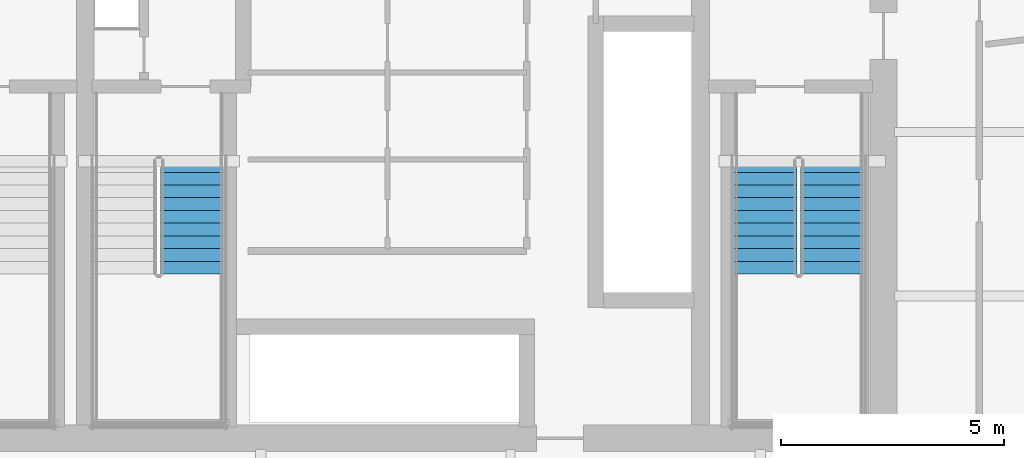
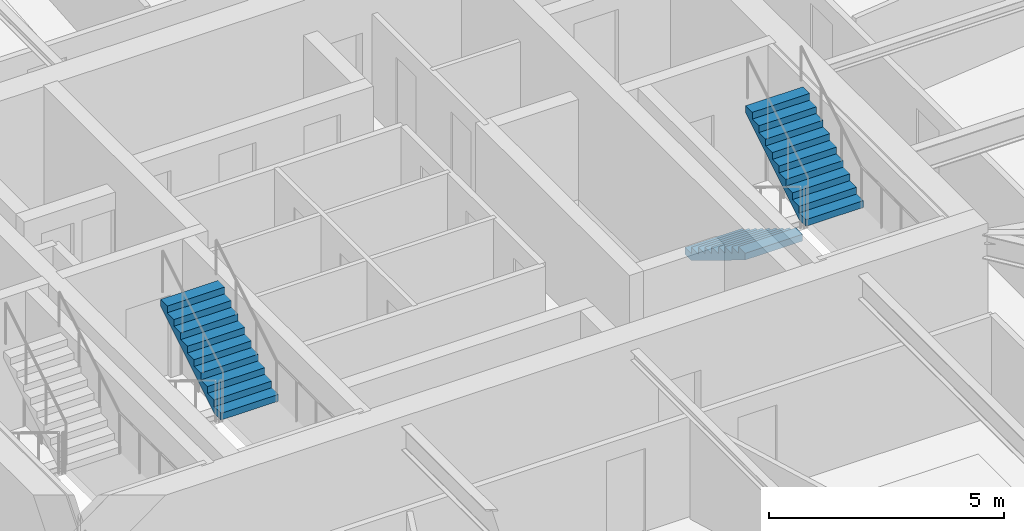
# One storey, part 19 of 23: 3 stair flights, 2 elements without a shape of their own.
"""IFC4 building model written with IfcOpenShell, lengths in metres."""

from ifc_helpers import new_model, si_unit, direction, frame, origin, place, context, subcontext, project, spatial, polyline, outline, extrude, material, type_object, element, aggregate, save


model = new_model("IFC4")

# Units and contexts
model_context = context("Model", 3, precision=1e-05, world=origin(), true_north=direction((0.0, 1.0)))
body_context = subcontext(model_context, "Body", "Model", "MODEL_VIEW")
ifc_project = project(units=[si_unit("LENGTHUNIT", "METRE"), si_unit("AREAUNIT", "SQUARE_METRE"), si_unit("VOLUMEUNIT", "CUBIC_METRE"), si_unit("PLANEANGLEUNIT", "RADIAN"), si_unit("MASSUNIT", "GRAM", prefix="KILO")], contexts=[model_context])

# Site, building, storey
site_placement = place(None, origin())
site = spatial("IfcSite", under=ifc_project, at=site_placement, CompositionType="ELEMENT")
building_placement = place(site_placement, origin())
building = spatial("IfcBuilding", under=site, at=building_placement, Name="Bramvorn Convention Spire", CompositionType="ELEMENT")
storey_placement = place(building_placement, frame((0.0, 0.0, 69.39990234375)))
storey = spatial("IfcBuildingStorey", under=building, at=storey_placement, Name="L15", CompositionType="ELEMENT", Elevation=69.39990234375)

# Stair, stair flights
ifc_material_1 = material(Name="Concrete C40/50 Precast Stair", Category="concrete")
stair_type = type_object("IfcStairType", Name="ST-TOWER-1550", PredefinedType="HALF_TURN_STAIR", material=ifc_material_1)
stair_1_placement = place(storey_placement, origin())
stair_1 = element("IfcStair", 1, at=stair_1_placement, inside=storey, type_object=stair_type, Name="L15 Protected Exit Stair ST2", PredefinedType="HALF_TURN_STAIR")
ifc_material_2 = material(Name="Concrete C40/50 Precast Stair Flight", Category="concrete")
stair_flight_type = type_object("IfcStairFlightType", Name="STF-TOWER-1550", PredefinedType="STRAIGHT", material=ifc_material_2)
stair_flight_1_placement = place(storey_placement, frame((46.35498046875, 25.050048828125, 0.0), z_axis=(0.0, 0.0, 1.0), x_axis=(0.0, -1.0, 0.0)))
stair_flight_1 = element("IfcStairFlight", 2, at=stair_flight_1_placement, type_object=stair_flight_type, Name="ST2 flight 1", NumberOfRisers=10, NumberOfTreads=9, PredefinedType="STRAIGHT", RiserHeight=0.175, TreadLength=0.285, context=body_context, shape_type="SweptSolid", body=[
    extrude(outline(polyline([(0.0, 0.0), (0.0, 0.175048828125), (0.284912109375, 0.175048828125), (0.284912109375, 0.35009765625), (0.570068359375, 0.35009765625), (0.570068359375, 0.52490234375), (0.85498046875, 0.52490234375), (0.85498046875, 0.699951171875), (1.139892578125, 0.699951171875), (1.139892578125, 0.875), (1.425048828125, 0.875), (1.425048828125, 1.050048828125), (1.7099609375, 1.050048828125), (1.7099609375, 1.22509765625), (1.9951171875, 1.22509765625), (1.9951171875, 1.39990234375), (2.280029296875, 1.39990234375), (2.280029296875, 1.574951171875), (2.56494140625, 1.574951171875), (2.56494140625, 1.75), (2.56494140625, 1.399169921875), (0.286376953125, 0.0), (0.0, 0.0)])), frame((0.0, 0.705078125, 0.0), z_axis=(0.0, -1.0, 0.0), x_axis=(1.0, 0.0, 0.0)), (0.0, 0.0, 1.0), 1.409912109375),
])
stair_flight_2_placement = place(storey_placement, frame((47.844970703125, 22.485107421875, 1.75), z_axis=(0.0, 0.0, 1.0), x_axis=(0.0, 1.0, 0.0)))
stair_flight_2 = element("IfcStairFlight", 3, at=stair_flight_2_placement, type_object=stair_flight_type, Name="ST2 flight 2", NumberOfRisers=10, NumberOfTreads=9, PredefinedType="STRAIGHT", RiserHeight=0.175, TreadLength=0.285, context=body_context, shape_type="SweptSolid", body=[
    extrude(outline(polyline([(0.0, 0.0), (0.0, 0.175048828125), (0.284912109375, 0.175048828125), (0.284912109375, 0.35009765625), (0.570068359375, 0.35009765625), (0.570068359375, 0.52490234375), (0.85498046875, 0.52490234375), (0.85498046875, 0.699951171875), (1.139892578125, 0.699951171875), (1.139892578125, 0.875), (1.425048828125, 0.875), (1.425048828125, 1.050048828125), (1.7099609375, 1.050048828125), (1.7099609375, 1.22509765625), (1.9951171875, 1.22509765625), (1.9951171875, 1.39990234375), (2.280029296875, 1.39990234375), (2.280029296875, 1.574951171875), (2.56494140625, 1.574951171875), (2.56494140625, 1.75), (2.56494140625, 1.399169921875), (0.286376953125, 0.0), (0.0, 0.0)])), frame((0.0, 0.705078125, 0.0), z_axis=(0.0, -1.0, 0.0), x_axis=(1.0, 0.0, 0.0)), (0.0, 0.0, 1.0), 1.409912109375),
])
aggregate(stair_1, [stair_flight_1, stair_flight_2])

# Stair, stair flight
stair_2_placement = place(storey_placement, origin())
stair_2 = element("IfcStair", 4, at=stair_2_placement, inside=storey, type_object=stair_type, Name="L15 Protected Exit Stair ST3", PredefinedType="HALF_TURN_STAIR")
stair_flight_3_placement = place(storey_placement, frame((33.4951171875, 22.485107421875, 1.75), z_axis=(0.0, 0.0, 1.0), x_axis=(0.0, 1.0, 0.0)))
stair_flight_3 = element("IfcStairFlight", 5, at=stair_flight_3_placement, type_object=stair_flight_type, Name="ST3 flight 2", NumberOfRisers=10, NumberOfTreads=9, PredefinedType="STRAIGHT", RiserHeight=0.175, TreadLength=0.285, context=body_context, shape_type="SweptSolid", body=[
    extrude(outline(polyline([(0.0, 0.0), (0.0, 0.175048828125), (0.284912109375, 0.175048828125), (0.284912109375, 0.35009765625), (0.570068359375, 0.35009765625), (0.570068359375, 0.52490234375), (0.85498046875, 0.52490234375), (0.85498046875, 0.699951171875), (1.139892578125, 0.699951171875), (1.139892578125, 0.875), (1.425048828125, 0.875), (1.425048828125, 1.050048828125), (1.7099609375, 1.050048828125), (1.7099609375, 1.22509765625), (1.9951171875, 1.22509765625), (1.9951171875, 1.39990234375), (2.280029296875, 1.39990234375), (2.280029296875, 1.574951171875), (2.56494140625, 1.574951171875), (2.56494140625, 1.75), (2.56494140625, 1.399169921875), (0.286376953125, 0.0), (0.0, 0.0)])), frame((0.0, 0.705078125, 0.0), z_axis=(0.0, -1.0, 0.0), x_axis=(1.0, 0.0, 0.0)), (0.0, 0.0, 1.0), 1.409912109375),
])
aggregate(stair_2, [stair_flight_3])

save(model, "model.ifc")
